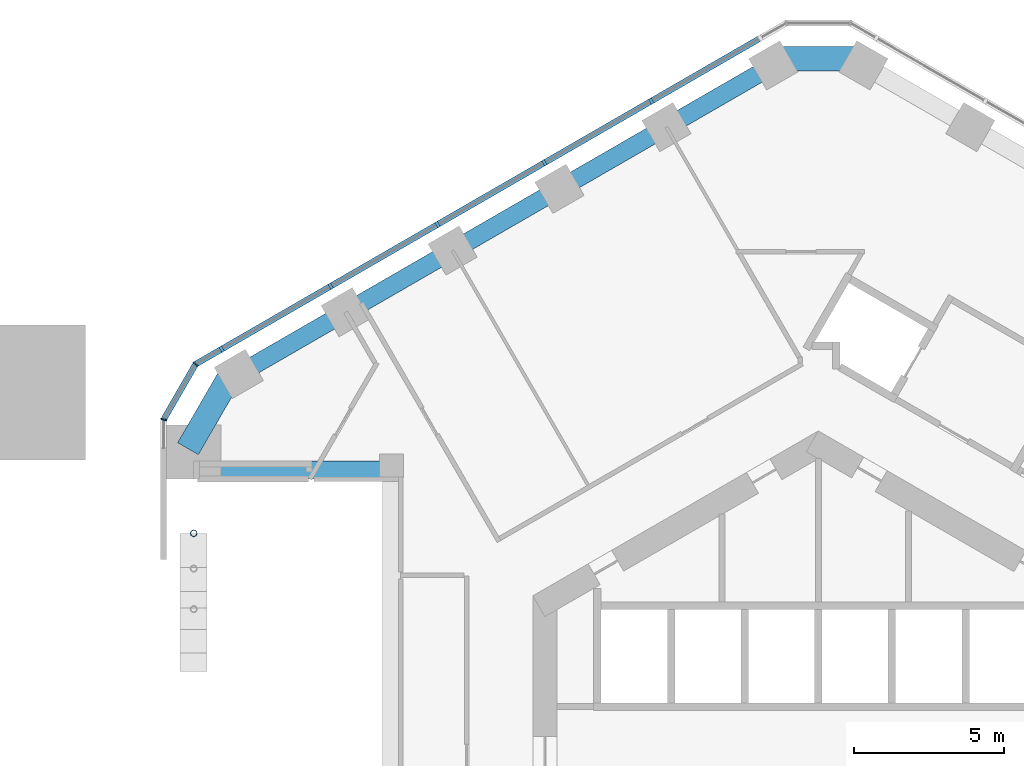
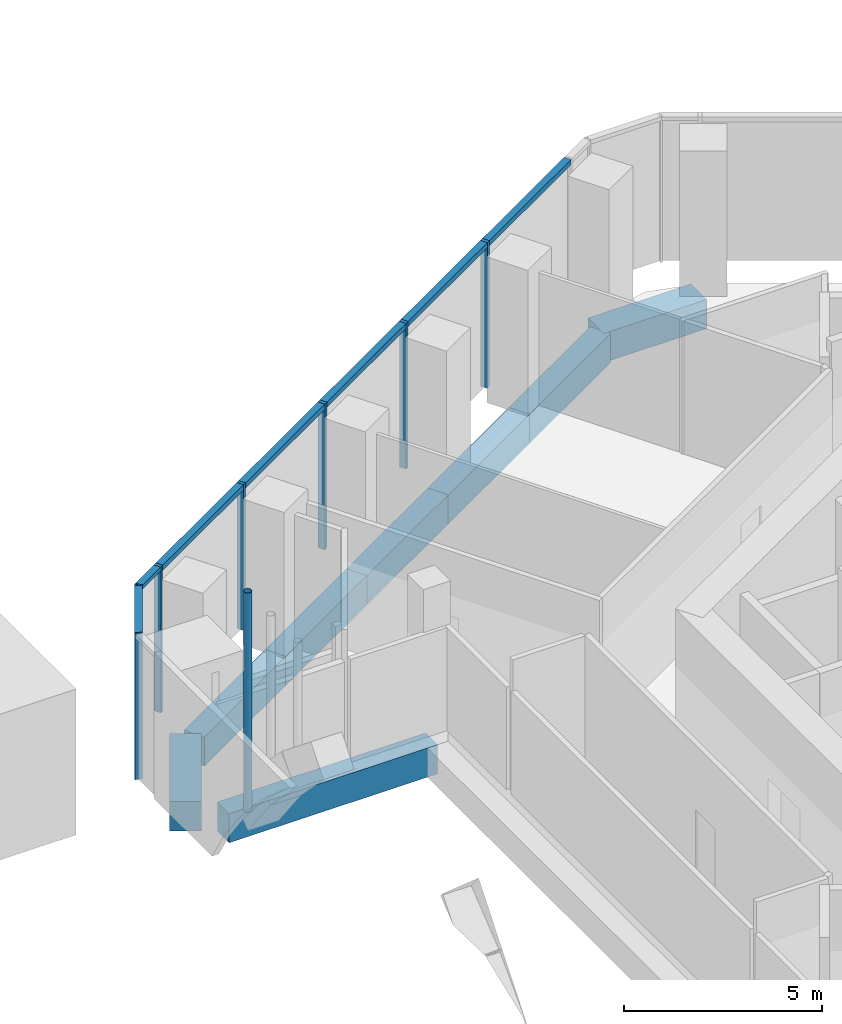
# One storey, part 6 of 14: 11 members, 8 beams, 2 elements without a shape of their own.
"""IFC4 building model written with IfcOpenShell, lengths in metres."""

import ifcopenshell
import ifcopenshell.guid

model = None  # the IFC model being written
_history = None  # IfcOwnerHistory: only IFC2X3 demands one
_inside = {}  # id of a spatial element -> (the spatial element, [elements in it])
_under = {}  # id of a project, library or spatial element -> (it, [spatial elements below it])
_declared = {}  # id of a project -> (the project, [libraries it declares])
_typed = {}  # id of a type object -> (the type object, [elements of that type])
_made_of = {}  # id of a material, layer set ... -> (it, [elements and type objects made of it])


def new_model(schema):
    """Start an empty IFC model of exactly this schema.

    Asked for "IFC4X3", IfcOpenShell would pick the latest addendum, in which some entities
    have other attributes; the version numbers below select the first issue.
    IFC2X3 requires an IfcOwnerHistory on every rooted entity: one is made here for all.
    """
    global model, _history
    if schema == "IFC4X3":
        model = ifcopenshell.file(schema_version=(4, 3, 0, 0))
    else:
        model = ifcopenshell.file(schema=schema)
    _inside.clear()
    _under.clear()
    _declared.clear()
    _typed.clear()
    _made_of.clear()
    _history = None
    if model.schema == "IFC2X3":
        org = make("IfcOrganization", Name="unknown")
        user = make(
            "IfcPersonAndOrganization",
            ThePerson=make("IfcPerson", FamilyName="unknown"),
            TheOrganization=org,
        )
        app = make(
            "IfcApplication",
            ApplicationDeveloper=org,
            Version="unknown",
            ApplicationFullName="unknown",
            ApplicationIdentifier="unknown",
        )
        _history = make(
            "IfcOwnerHistory",
            OwningUser=user,
            OwningApplication=app,
            ChangeAction="ADDED",
            CreationDate=0,
        )
    return model


def make(cls, **values):
    """One entity of the class cls with the attributes given. An attribute that is None is left unset."""
    return model.create_entity(
        cls, **{name: value for name, value in values.items() if value is not None}
    )


def rooted(cls, **values):
    """An entity with a GlobalId (a new one), such as an element, a storey or a relation."""
    return make(cls, GlobalId=ifcopenshell.guid.new(), OwnerHistory=_history, **values)


def si_unit(unit_type, name, prefix=None):
    """IfcSIUnit, for example si_unit("LENGTHUNIT", "METRE", prefix="MILLI")."""
    return make("IfcSIUnit", UnitType=unit_type, Prefix=prefix, Name=name)


def assignment(units):
    """IfcUnitAssignment: the units of a project."""
    return None if units is None else make("IfcUnitAssignment", Units=units)


def point(xyz):
    """IfcCartesianPoint."""
    return None if xyz is None else make("IfcCartesianPoint", Coordinates=xyz)


def direction(xyz):
    """IfcDirection."""
    return None if xyz is None else make("IfcDirection", DirectionRatios=xyz)


def frame(location, z_axis=None, x_axis=None):
    """IfcAxis2Placement3D, a coordinate frame: its origin and axes. An axis left out is left unset."""
    return make(
        "IfcAxis2Placement3D",
        Location=point(location),
        Axis=direction(z_axis),
        RefDirection=direction(x_axis),
    )


def frame_2d(location, x_axis=None):
    """IfcAxis2Placement2D, a coordinate frame in the plane: its origin and x axis."""
    return make(
        "IfcAxis2Placement2D", Location=point(location), RefDirection=direction(x_axis)
    )


def origin():
    """The frame at (0, 0, 0) with its axes left unset."""
    return frame((0.0, 0.0, 0.0))


def origin_2d():
    """The frame at (0, 0) in the plane with its x axis left unset."""
    return frame_2d((0.0, 0.0))


def place(relative_to, where):
    """IfcLocalPlacement: puts the frame where relative to a parent placement (None: the world)."""
    return make(
        "IfcLocalPlacement", PlacementRelTo=relative_to, RelativePlacement=where
    )


def context(
    kind, dimensions, precision=None, world=None, true_north=None, identifier=None
):
    """IfcGeometricRepresentationContext, for example the 3D "Model" context."""
    return make(
        "IfcGeometricRepresentationContext",
        ContextIdentifier=identifier,
        ContextType=kind,
        CoordinateSpaceDimension=dimensions,
        Precision=precision,
        WorldCoordinateSystem=world,
        TrueNorth=true_north,
    )


def subcontext(parent, identifier, kind, view, scale=None):
    """IfcGeometricRepresentationSubContext, for example "Body" below "Model"."""
    return make(
        "IfcGeometricRepresentationSubContext",
        ContextIdentifier=identifier,
        ContextType=kind,
        ParentContext=parent,
        TargetScale=scale,
        TargetView=view,
    )


def project(units=None, contexts=None):
    """IfcProject with its units and contexts."""
    return rooted(
        "IfcProject",
        Name="project",
        RepresentationContexts=contexts,
        UnitsInContext=assignment(units),
    )


def spatial(cls, under=None, at=None, **own):
    """A site, building, storey or space (cls), placed at a placement, below another one or the project."""
    s = rooted(cls, ObjectPlacement=at, **own)
    if under is not None:
        _under.setdefault(under.id(), (under, []))[1].append(s)
    return s


def profile(cls, at=None, kind="AREA", **sizes):
    """A parametric profile (cls). Its sizes go by their IFC names, for example OverallWidth=200.0."""
    return make(cls, ProfileType=kind, Position=at, **sizes)


def rectangle(**sizes):
    """IfcRectangleProfileDef."""
    return profile("IfcRectangleProfileDef", **sizes)


def hollow_circle(**sizes):
    """IfcCircleHollowProfileDef."""
    return profile("IfcCircleHollowProfileDef", **sizes)


def extrude(swept, where, along, depth):
    """IfcExtrudedAreaSolid: the profile swept, set in the frame where, extruded along a direction by depth."""
    return make(
        "IfcExtrudedAreaSolid",
        SweptArea=swept,
        Position=where,
        ExtrudedDirection=direction(along),
        Depth=depth,
    )


def shape(context_of_items, identifier, shape_type, items):
    """IfcShapeRepresentation: the items that make up one representation, for example the "Body"."""
    return make(
        "IfcShapeRepresentation",
        ContextOfItems=context_of_items,
        RepresentationIdentifier=identifier,
        RepresentationType=shape_type,
        Items=items,
    )


def material(Name=None, Category=None):
    """IfcMaterial."""
    return make("IfcMaterial", Name=Name, Category=Category)


def layer(
    of_material, thickness, ventilated=None, Name=None, Category=None, Priority=None
):
    """IfcMaterialLayer: one layer of a wall or slab, of a material (None: an air gap)."""
    return make(
        "IfcMaterialLayer",
        Material=of_material,
        LayerThickness=thickness,
        IsVentilated=ventilated,
        Name=Name,
        Category=Category,
        Priority=Priority,
    )


def layer_set(layers, Name=None):
    """IfcMaterialLayerSet."""
    return make("IfcMaterialLayerSet", MaterialLayers=layers, LayerSetName=Name)


def material_profile(
    of_material, cross_section, Name=None, Category=None, Priority=None
):
    """IfcMaterialProfile: a cross section and its material."""
    return make(
        "IfcMaterialProfile",
        Name=Name,
        Material=of_material,
        Profile=cross_section,
        Priority=Priority,
        Category=Category,
    )


def profile_set(profiles, Name=None, composite=None):
    """IfcMaterialProfileSet."""
    return make(
        "IfcMaterialProfileSet",
        Name=Name,
        MaterialProfiles=profiles,
        CompositeProfile=composite,
    )


def made_of(thing, what):
    """Note that an element or type object is made of a material, layer set ...; save() writes the relation."""
    if what is not None:
        _made_of.setdefault(what.id(), (what, []))[1].append(thing)
    return thing


def type_object(cls, material=None, **own):
    """A type object (cls), such as IfcWallType, which elements share."""
    return made_of(rooted(cls, **own), material)


def element(
    cls,
    number,
    at=None,
    inside=None,
    cuts=None,
    type_object=None,
    material=None,
    context=None,
    identifier="Body",
    shape_type=None,
    held_by="IfcProductDefinitionShape",
    body=None,
    shapes=None,
    **own,
):
    """One element of the class cls, such as IfcWall. Its Tag is "e" and its number.

    at: its placement. inside: the storey or other place that contains it. cuts: it is an
    opening in that element (IfcRelVoidsElement). A single representation is given by context,
    identifier, shape_type and body (its items); several are given by shapes. held_by: the class
    of the entity that holds the representations. save() writes the other relations.
    """
    e = rooted(cls, Tag="e%d" % number, ObjectPlacement=at, **own)
    if body is not None:
        shapes = [shape(context, identifier, shape_type, body)]
    if shapes is not None:
        e.Representation = make(held_by, Representations=shapes)
    if inside is not None:
        _inside.setdefault(inside.id(), (inside, []))[1].append(e)
    if cuts is not None:
        rooted(
            "IfcRelVoidsElement", RelatingBuildingElement=cuts, RelatedOpeningElement=e
        )
    if type_object is not None:
        _typed.setdefault(type_object.id(), (type_object, []))[1].append(e)
    return made_of(e, material)


def aggregate(whole, parts):
    """IfcRelAggregates: a whole, such as a stair, and the parts it consists of."""
    return rooted("IfcRelAggregates", RelatingObject=whole, RelatedObjects=parts)


def save(model, path):
    """Write the relations noted so far, then the file.

    IfcRelAggregates (storeys below a building ...), IfcRelContainedInSpatialStructure (elements
    in a storey), IfcRelDefinesByType, IfcRelAssociatesMaterial and IfcRelDeclares: one each for
    every whole, place, type object, material and project.
    """
    for whole, parts in _under.values():
        aggregate(whole, parts)
    for where, things in _inside.values():
        rooted(
            "IfcRelContainedInSpatialStructure",
            RelatedElements=things,
            RelatingStructure=where,
        )
    for kind, things in _typed.values():
        rooted("IfcRelDefinesByType", RelatedObjects=things, RelatingType=kind)
    for what, things in _made_of.values():
        rooted("IfcRelAssociatesMaterial", RelatedObjects=things, RelatingMaterial=what)
    for by, libraries in _declared.values():
        rooted("IfcRelDeclares", RelatingContext=by, RelatedDefinitions=libraries)
    model.write(path)


model = new_model("IFC4")

# Units and contexts
model_context = context("Model", 3, precision=1e-05, world=origin(), true_north=direction((0.0, 1.0)))
body_context = subcontext(model_context, "Body", "Model", "MODEL_VIEW")
ifc_project = project(units=[si_unit("LENGTHUNIT", "METRE"), si_unit("AREAUNIT", "SQUARE_METRE"), si_unit("VOLUMEUNIT", "CUBIC_METRE"), si_unit("PLANEANGLEUNIT", "RADIAN"), si_unit("MASSUNIT", "GRAM", prefix="KILO")], contexts=[model_context])

# Site, building, storey
site_placement = place(None, origin())
site = spatial("IfcSite", under=ifc_project, at=site_placement, CompositionType="ELEMENT")
building_placement = place(site_placement, origin())
building = spatial("IfcBuilding", under=site, at=building_placement, Name="Ayvan Gate Tower", CompositionType="ELEMENT")
storey_placement = place(building_placement, frame((0.0, 0.0, 11.5)))
storey = spatial("IfcBuildingStorey", under=building, at=storey_placement, Name="L02", CompositionType="ELEMENT", Elevation=11.5)

# Member
ifc_material_1 = material(Name="Steel S460NH", Category="steel")
ifc_material_profile_1 = material_profile(ifc_material_1, hollow_circle(Radius=0.109619140625, WallThickness=0.012451171875, at=origin_2d()), Name="CHS 219.1x12.5")
ifc_profile_set_1 = profile_set([ifc_material_profile_1], Name="Steel S460NH")
member_type_1 = type_object("IfcMemberType", Name="Arch rib hanger CHS 219.1x12.5", PredefinedType="STRUT", material=ifc_profile_set_1)
member_1_placement = place(storey_placement, frame((-20.78466796875, 7.564208984375, 0.98095703125), z_axis=(0.0, 0.0, 1.0), x_axis=(1.0, 0.0, 0.0)))
element("IfcMember", 1, at=member_1_placement, inside=storey, type_object=member_type_1, Name="ARH-3-6", PredefinedType="STRUT", context=body_context, shape_type="SweptSolid", body=[
    extrude(hollow_circle(Radius=0.109619140625, WallThickness=0.012451171875, at=origin_2d()), origin(), (0.0, 0.0, 1.0), 6.76904296875),
])

# Beams
ifc_material_2 = material(Name="Concrete C40/50", Category="concrete")
ifc_material_profile_2 = material_profile(ifc_material_2, rectangle(XDim=0.800048828125, YDim=0.89990234375, at=origin_2d()), Name="RC 800x900")
ifc_profile_set_2 = profile_set([ifc_material_profile_2], Name="Concrete C40/50")
beam_type_1 = type_object("IfcBeamType", Name="Corner spandrel beam RC 800x900 C40/50", PredefinedType="BEAM", material=ifc_profile_set_2)
for number, where, z_axis, x_axis, name in (
    (2, (1.5, 23.35400390625, -0.85009765625), (-1.0, 0.0, 0.0), (0.0, -1.0, 0.0), "SB-L02-12"),
    (3, (-19.47509765625, 12.97607421875, -0.85009765625), (-0.499990139034, -0.866031096941, 0.0), (0.866031096941, -0.499990139034, 0.0), "SB-L02-18"),
):
    element("IfcBeam", number, at=place(storey_placement, frame(where, z_axis=z_axis, x_axis=x_axis)), inside=storey, type_object=beam_type_1, Name=name, PredefinedType="BEAM", context=body_context, shape_type="SweptSolid", body=[
        extrude(rectangle(XDim=0.800048828125, YDim=0.89990234375, at=origin_2d()), origin(), (0.0, 0.0, 1.0), 3.0),
    ])
ifc_material_profile_3 = material_profile(ifc_material_2, rectangle(XDim=0.60009765625, YDim=0.89990234375, at=origin_2d()), Name="RC 600x900")
ifc_profile_set_3 = profile_set([ifc_material_profile_3], Name="Concrete C40/50")
beam_type_2 = type_object("IfcBeamType", Name="Opening edge beam RC 600x900 C40/50", PredefinedType="BEAM", material=ifc_profile_set_3)
beam_placement = place(storey_placement, frame((-20.28466796875, 9.66796875, -0.85009765625), z_axis=(1.0, 0.0, 0.0), x_axis=(0.0, 1.0, 0.0)))
element("IfcBeam", 4, at=beam_placement, inside=storey, type_object=beam_type_2, Name="OB-L02-3-A", PredefinedType="BEAM", context=body_context, shape_type="SweptSolid", body=[
    extrude(rectangle(XDim=0.60009765625, YDim=0.89990234375, at=origin_2d()), origin(), (0.0, 0.0, 1.0), 6.084716796875),
])
ifc_material_profile_4 = material_profile(ifc_material_2, rectangle(XDim=0.60009765625, YDim=0.89990234375, at=origin_2d()), Name="RC 600x900")
ifc_profile_set_4 = profile_set([ifc_material_profile_4], Name="Concrete C40/50")
beam_type_3 = type_object("IfcBeamType", Name="Spandrel beam RC 600x900 C40/50", PredefinedType="BEAM", material=ifc_profile_set_4)
for number, where, z_axis, x_axis, name in (
    (5, (-1.5, 23.134033203125, -0.85009765625), (-0.866010373586, -0.500026032164, 0.0), (0.500026032164, -0.866010373586, 0.0), "SB-L02-13"),
    (6, (-5.056884765625, 21.080322265625, -0.85009765625), (-0.866036113234, -0.499981450231, 0.0), (0.499981450231, -0.866036113234, 0.0), "SB-L02-14"),
    (7, (-8.61376953125, 19.02685546875, -0.85009765625), (-0.866010373586, -0.500026032164, 0.0), (0.500026032164, -0.866010373586, 0.0), "SB-L02-15"),
    (8, (-12.170654296875, 16.97314453125, -0.85009765625), (-0.866050971923, -0.499955712069, 0.0), (0.499955712069, -0.866050971923, 0.0), "SB-L02-16"),
    (9, (-15.727783203125, 14.919677734375, -0.85009765625), (-0.866010373586, -0.500026032164, 0.0), (0.500026032164, -0.866010373586, 0.0), "SB-L02-17"),
):
    element("IfcBeam", number, at=place(storey_placement, frame(where, z_axis=z_axis, x_axis=x_axis)), inside=storey, type_object=beam_type_3, Name=name, PredefinedType="BEAM", context=body_context, shape_type="SweptSolid", body=[
        extrude(rectangle(XDim=0.60009765625, YDim=0.89990234375, at=origin_2d()), origin(), (0.0, 0.0, 1.0), 4.107177734375),
    ])

# Curtain wall, members
ifc_material_3 = material(Name="Bronze anodised aluminium", Category="aluminium")
ifc_layer_1 = layer(ifc_material_3, 0.199951171875)
ifc_layer_set_1 = layer_set([ifc_layer_1], Name="Bronze anodised aluminium")
curtain_wall_type_1 = type_object("IfcCurtainWallType", Name="Stick curtain wall CW-3", PredefinedType="NOTDEFINED", material=ifc_layer_set_1)
curtain_wall_1_placement = place(storey_placement, origin())
curtain_wall_1 = element("IfcCurtainWall", 10, at=curtain_wall_1_placement, inside=storey, type_object=curtain_wall_type_1, Name="Stick curtain wall CW-3 L02", PredefinedType="NOTDEFINED")
ifc_material_profile_5 = material_profile(ifc_material_3, rectangle(XDim=0.199951171875, YDim=0.10009765625, at=origin_2d()), Name="Stick curtain wall CW-3 mullion 200 x 100")
ifc_profile_set_5 = profile_set([ifc_material_profile_5], Name="Bronze anodised aluminium")
member_type_2 = type_object("IfcMemberType", Name="Stick curtain wall CW-3 mullion 200 x 100", PredefinedType="MULLION", material=ifc_profile_set_5)
member_2_placement = place(storey_placement, frame((-5.55712890625, 21.9462890625, 0.0), z_axis=(0.0, 0.0, 1.0), x_axis=(-0.5, 0.866025403784, 0.0)))
member_2 = element("IfcMember", 11, at=member_2_placement, type_object=member_type_2, Name="CW-3 mullion 2", PredefinedType="MULLION", context=body_context, shape_type="SweptSolid", body=[
    extrude(rectangle(XDim=0.199951171875, YDim=0.10009765625, at=origin_2d()), origin(), (0.0, 0.0, 1.0), 4.5),
])
member_3_placement = place(storey_placement, frame((-9.11376953125, 19.892822265625, 0.0), z_axis=(0.0, 0.0, 1.0), x_axis=(-0.5, 0.866025403784, 0.0)))
member_3 = element("IfcMember", 12, at=member_3_placement, type_object=member_type_2, Name="CW-3 mullion 3", PredefinedType="MULLION", context=body_context, shape_type="SweptSolid", body=[
    extrude(rectangle(XDim=0.199951171875, YDim=0.10009765625, at=origin_2d()), origin(), (0.0, 0.0, 1.0), 4.5),
])
member_4_placement = place(storey_placement, frame((-12.670654296875, 17.83935546875, 0.0), z_axis=(0.0, 0.0, 1.0), x_axis=(-0.5, 0.866025403784, 0.0)))
member_4 = element("IfcMember", 13, at=member_4_placement, type_object=member_type_2, Name="CW-3 mullion 4", PredefinedType="MULLION", context=body_context, shape_type="SweptSolid", body=[
    extrude(rectangle(XDim=0.199951171875, YDim=0.10009765625, at=origin_2d()), origin(), (0.0, 0.0, 1.0), 4.5),
])
member_5_placement = place(storey_placement, frame((-16.227294921875, 15.785888671875, 0.0), z_axis=(0.0, 0.0, 1.0), x_axis=(-0.5, 0.866025403784, 0.0)))
member_5 = element("IfcMember", 14, at=member_5_placement, type_object=member_type_2, Name="CW-3 mullion 5", PredefinedType="MULLION", context=body_context, shape_type="SweptSolid", body=[
    extrude(rectangle(XDim=0.199951171875, YDim=0.10009765625, at=origin_2d()), origin(), (0.0, 0.0, 1.0), 4.5),
])
member_6_placement = place(storey_placement, frame((-19.855224609375, 13.691162109375, 0.0), z_axis=(0.0, 0.0, 1.0), x_axis=(-0.5, 0.866025403784, 0.0)))
member_6 = element("IfcMember", 15, at=member_6_placement, type_object=member_type_2, Name="CW-3 mullion 6", PredefinedType="MULLION", context=body_context, shape_type="SweptSolid", body=[
    extrude(rectangle(XDim=0.199951171875, YDim=0.10009765625, at=origin_2d()), origin(), (0.0, 0.0, 1.0), 4.5),
])
ifc_material_profile_6 = material_profile(ifc_material_3, rectangle(XDim=0.199951171875, YDim=0.159912109375, at=origin_2d()), Name="Stick curtain wall CW-3 transom 200 x 160")
ifc_profile_set_6 = profile_set([ifc_material_profile_6], Name="Bronze anodised aluminium")
member_type_3 = type_object("IfcMemberType", Name="Stick curtain wall CW-3 transom 200 x 160", PredefinedType="USERDEFINED", material=ifc_profile_set_6)
member_7_placement = place(storey_placement, frame((-1.92919921875, 24.040771484375, 4.419921875), z_axis=(-0.866025115303, -0.500000499665, 0.0), x_axis=(0.500000499665, -0.866025115303, 0.0)))
member_7 = element("IfcMember", 16, at=member_7_placement, type_object=member_type_3, Name="CW-3 transom 1", ObjectType="TRANSOM", PredefinedType="USERDEFINED", context=body_context, shape_type="SweptSolid", body=[
    extrude(rectangle(XDim=0.199951171875, YDim=0.159912109375, at=origin_2d()), origin(), (0.0, 0.0, 1.0), 20.69921875),
])
aggregate(curtain_wall_1, [member_2, member_3, member_4, member_5, member_6, member_7])

ifc_layer_2 = layer(ifc_material_3, 0.199951171875)
ifc_layer_set_2 = layer_set([ifc_layer_2], Name="Bronze anodised aluminium")
curtain_wall_type_2 = type_object("IfcCurtainWallType", Name="Stick curtain wall CW-6", PredefinedType="NOTDEFINED", material=ifc_layer_set_2)
curtain_wall_2_placement = place(storey_placement, origin())
curtain_wall_2 = element("IfcCurtainWall", 17, at=curtain_wall_2_placement, inside=storey, type_object=curtain_wall_type_2, Name="Stick curtain wall CW-6 L02", PredefinedType="NOTDEFINED")
ifc_material_profile_7 = material_profile(ifc_material_3, rectangle(XDim=0.199951171875, YDim=0.050048828125, at=origin_2d()), Name="Stick curtain wall CW-6 mullion 200 x 50")
ifc_profile_set_7 = profile_set([ifc_material_profile_7], Name="Bronze anodised aluminium")
member_type_4 = type_object("IfcMemberType", Name="Stick curtain wall CW-6 mullion 200 x 50", PredefinedType="MULLION", material=ifc_profile_set_7)
member_8_placement = place(storey_placement, frame((-20.721435546875, 13.191162109375, 0.0), z_axis=(0.0, 0.0, 1.0), x_axis=(-0.707106781187, 0.707106781187, 0.0)))
member_8 = element("IfcMember", 18, at=member_8_placement, type_object=member_type_4, Name="CW-6 mullion 2", PredefinedType="MULLION", context=body_context, shape_type="SweptSolid", body=[
    extrude(rectangle(XDim=0.199951171875, YDim=0.050048828125, at=origin_2d()), origin(), (0.0, 0.0, 1.0), 4.5),
])
member_9_placement = place(storey_placement, frame((-21.78466796875, 11.349609375, 0.0), z_axis=(0.0, 0.0, 1.0), x_axis=(-0.965925826289, 0.258819045103, 0.0)))
member_9 = element("IfcMember", 19, at=member_9_placement, type_object=member_type_4, Name="CW-6 mullion 3", PredefinedType="MULLION", context=body_context, shape_type="SweptSolid", body=[
    extrude(rectangle(XDim=0.199951171875, YDim=0.050048828125, at=origin_2d()), origin(), (0.0, 0.0, 1.0), 4.5),
])
ifc_material_profile_8 = material_profile(ifc_material_3, rectangle(XDim=0.199951171875, YDim=0.1201171875, at=origin_2d()), Name="Stick curtain wall CW-6 transom 200 x 120")
ifc_profile_set_8 = profile_set([ifc_material_profile_8], Name="Bronze anodised aluminium")
member_type_5 = type_object("IfcMemberType", Name="Stick curtain wall CW-6 transom 200 x 120", PredefinedType="USERDEFINED", material=ifc_profile_set_8)
member_10_placement = place(storey_placement, frame((-19.898681640625, 13.666259765625, 4.43994140625), z_axis=(-0.865943820382, -0.500141279983, 0.0), x_axis=(0.500141279983, -0.865943820382, 0.0)))
member_10 = element("IfcMember", 20, at=member_10_placement, type_object=member_type_5, Name="CW-6 transom 1", ObjectType="TRANSOM", PredefinedType="USERDEFINED", context=body_context, shape_type="SweptSolid", body=[
    extrude(rectangle(XDim=0.199951171875, YDim=0.1201171875, at=origin_2d()), origin(), (0.0, 0.0, 1.0), 0.925048828125),
])
member_11_placement = place(storey_placement, frame((-20.73388671875, 13.169677734375, 4.43994140625), z_axis=(-0.500020978615, -0.866013291437, 0.0), x_axis=(0.866013291437, -0.500020978615, 0.0)))
member_11 = element("IfcMember", 21, at=member_11_placement, type_object=member_type_5, Name="CW-6 transom 2", ObjectType="TRANSOM", PredefinedType="USERDEFINED", context=body_context, shape_type="SweptSolid", body=[
    extrude(rectangle(XDim=0.199951171875, YDim=0.1201171875, at=origin_2d()), origin(), (0.0, 0.0, 1.0), 2.07666015625),
])
aggregate(curtain_wall_2, [member_8, member_9, member_10, member_11])

save(model, "model.ifc")
